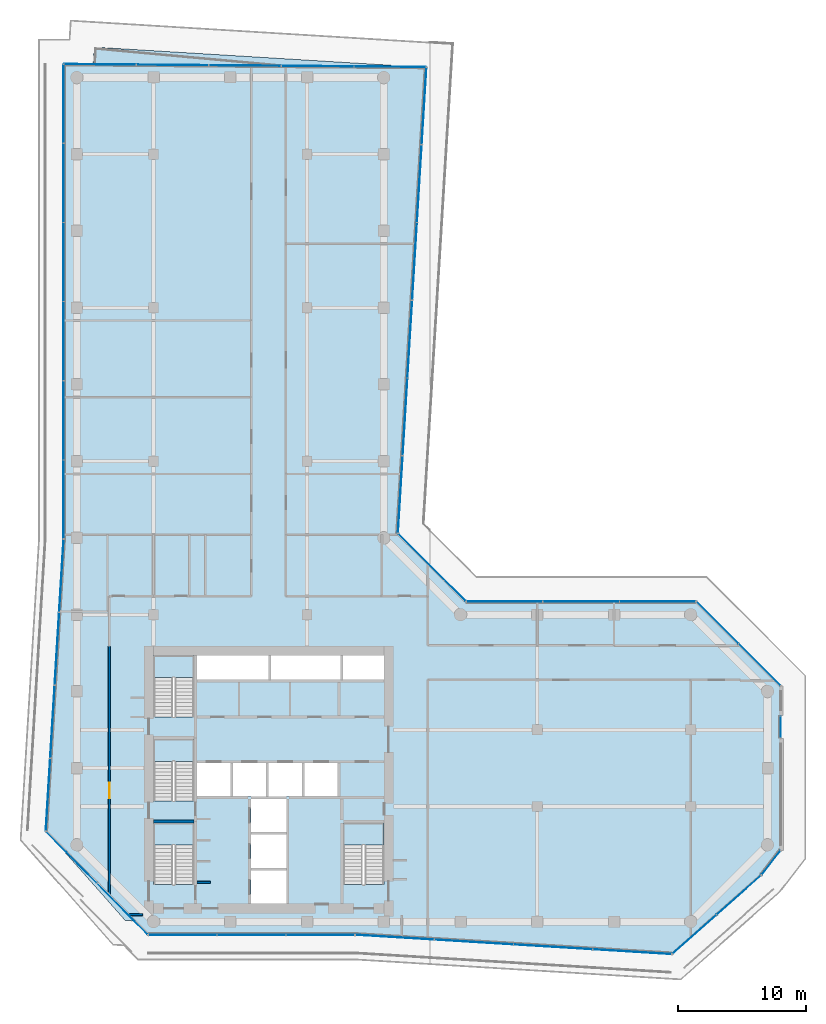
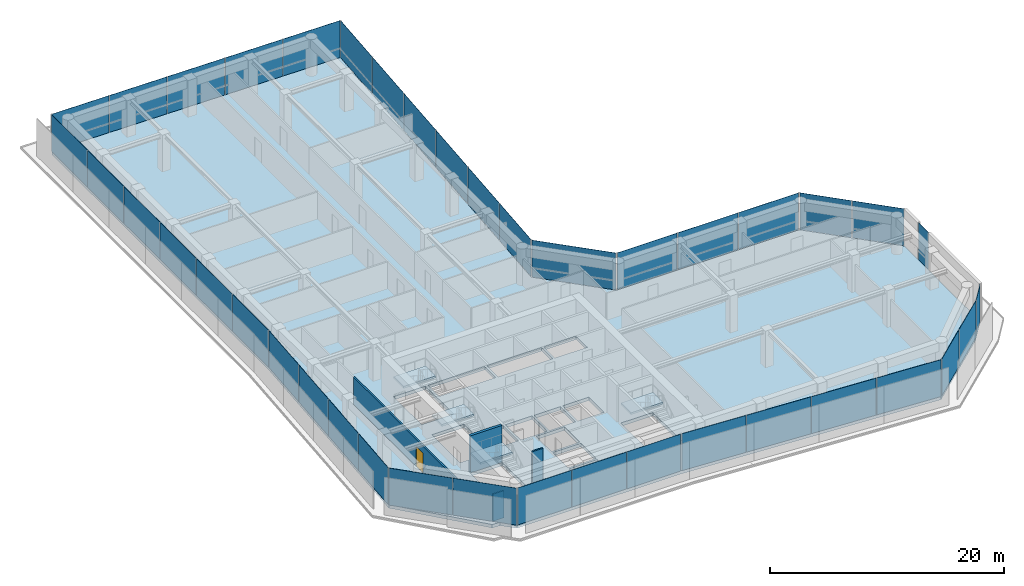
# One storey, part 19 of 24: 40 plates, 5 slabs, 4 walls, 1 door, 1 opening, 17 elements without a shape of their own.
"""IFC4 building model written with IfcOpenShell, lengths in metres."""

from ifc_helpers import new_model, si_unit, direction, frame, frame_2d, origin, origin_2d, place, context, subcontext, project, spatial, polyline, rectangle, outline, extrude, material, layer, layer_set, type_object, element, fill, aggregate, save


model = new_model("IFC4")

# Units and contexts
model_context = context("Model", 3, precision=1e-05, world=origin(), true_north=direction((0.0, 1.0)))
body_context = subcontext(model_context, "Body", "Model", "MODEL_VIEW")
ifc_project = project(units=[si_unit("LENGTHUNIT", "METRE"), si_unit("AREAUNIT", "SQUARE_METRE"), si_unit("VOLUMEUNIT", "CUBIC_METRE"), si_unit("PLANEANGLEUNIT", "RADIAN"), si_unit("MASSUNIT", "GRAM", prefix="KILO")], contexts=[model_context])

# Site, building, storey
site_placement = place(None, origin())
site = spatial("IfcSite", under=ifc_project, at=site_placement, CompositionType="ELEMENT")
building_placement = place(site_placement, origin())
building = spatial("IfcBuilding", under=site, at=building_placement, Name="Welwitschia Terrace Campus", CompositionType="ELEMENT")
storey_placement = place(building_placement, frame((0.0, 0.0, 125.60009765625)))
storey = spatial("IfcBuildingStorey", under=building, at=storey_placement, Name="L28", CompositionType="ELEMENT", Elevation=125.60009765625)

# Curtain wall, plates
ifc_material_1 = material(Name="Bronze anodised aluminium", Category="aluminium")
ifc_layer_1 = layer(ifc_material_1, 0.1201171875)
ifc_layer_set_1 = layer_set([ifc_layer_1], Name="Bronze anodised aluminium")
curtain_wall_type = type_object("IfcCurtainWallType", Name="Curtain wall CW2 tower 6000", PredefinedType="NOTDEFINED", material=ifc_layer_set_1)
curtain_wall_1_placement = place(storey_placement, origin())
curtain_wall_1 = element("IfcCurtainWall", 1, at=curtain_wall_1_placement, inside=storey, type_object=curtain_wall_type, Name="CW L28.0.0", PredefinedType="NOTDEFINED")
ifc_material_2 = material(Name="Tinted bronze-grey glass", Category="glass")
ifc_layer_2 = layer(ifc_material_2, 0.028076171875)
ifc_layer_set_2 = layer_set([ifc_layer_2], Name="Tinted bronze-grey glass")
plate_type = type_object("IfcPlateType", Name="Glass panel 28 tinted", PredefinedType="CURTAIN_PANEL", material=ifc_layer_set_2)
plate_1_placement = place(storey_placement, frame((-1.20556640625, 31.03466796875, -0.000244140625), z_axis=(0.0, 0.0, 1.0), x_axis=(-0.061048539535, -0.998134798422, 0.0)))
plate_1 = element("IfcPlate", 2, at=plate_1_placement, type_object=plate_type, Name="Panel L28.0.0.0", PredefinedType="CURTAIN_PANEL", context=body_context, shape_type="SweptSolid", body=[
    extrude(rectangle(XDim=5.630615234375, YDim=0.028076171875, at=origin_2d()), origin(), (0.0, 0.0, 1.0), 3.85009765625),
])
plate_2_placement = place(storey_placement, frame((-1.553955078125, 25.339599609375, -0.000244140625), z_axis=(0.0, 0.0, 1.0), x_axis=(-0.061048539535, -0.998134798422, 0.0)))
plate_2 = element("IfcPlate", 3, at=plate_2_placement, type_object=plate_type, Name="Panel L28.0.0.1", PredefinedType="CURTAIN_PANEL", context=body_context, shape_type="SweptSolid", body=[
    extrude(rectangle(XDim=5.66064453125, YDim=0.028076171875, at=origin_2d()), origin(), (0.0, 0.0, 1.0), 3.85009765625),
])
plate_3_placement = place(storey_placement, frame((-1.903076171875, 19.629638671875, -0.000244140625), z_axis=(0.0, 0.0, 1.0), x_axis=(-0.061048539535, -0.998134798422, 0.0)))
plate_3 = element("IfcPlate", 4, at=plate_3_placement, type_object=plate_type, Name="Panel L28.0.0.2", PredefinedType="CURTAIN_PANEL", context=body_context, shape_type="SweptSolid", body=[
    extrude(rectangle(XDim=5.66064453125, YDim=0.028076171875, at=origin_2d()), origin(), (0.0, 0.0, 1.0), 3.85009765625),
])
plate_4_placement = place(storey_placement, frame((-2.25146484375, 13.934814453125, -0.000244140625), z_axis=(0.0, 0.0, 1.0), x_axis=(-0.061048539535, -0.998134798422, 0.0)))
plate_4 = element("IfcPlate", 5, at=plate_4_placement, type_object=plate_type, Name="Panel L28.0.0.3", PredefinedType="CURTAIN_PANEL", context=body_context, shape_type="SweptSolid", body=[
    extrude(rectangle(XDim=5.630615234375, YDim=0.028076171875, at=origin_2d()), origin(), (0.0, 0.0, 1.0), 3.85009765625),
])
aggregate(curtain_wall_1, [plate_1, plate_2, plate_3, plate_4])

curtain_wall_2_placement = place(storey_placement, origin())
curtain_wall_2 = element("IfcCurtainWall", 6, at=curtain_wall_2_placement, inside=storey, type_object=curtain_wall_type, Name="CW L28.1.0", PredefinedType="NOTDEFINED")
plate_5_placement = place(storey_placement, frame((-0.416259765625, 9.030517578125, -0.000244140625), z_axis=(0.0, 0.0, 1.0), x_axis=(0.702943695312, -0.711245499966, 0.0)))
plate_5 = element("IfcPlate", 7, at=plate_5_placement, type_object=plate_type, Name="Panel L28.1.0.0", PredefinedType="CURTAIN_PANEL", context=body_context, shape_type="SweptSolid", body=[
    extrude(rectangle(XDim=5.6005859375, YDim=0.028076171875, at=origin_2d()), origin(), (0.0, 0.0, 1.0), 3.85009765625),
])
plate_6_placement = place(storey_placement, frame((3.562744140625, 5.00439453125, -0.000244140625), z_axis=(0.0, 0.0, 1.0), x_axis=(0.702943695312, -0.711245499966, 0.0)))
plate_6 = element("IfcPlate", 8, at=plate_6_placement, type_object=plate_type, Name="Panel L28.1.0.1", PredefinedType="CURTAIN_PANEL", context=body_context, shape_type="SweptSolid", body=[
    extrude(rectangle(XDim=5.6005859375, YDim=0.028076171875, at=origin_2d()), origin(), (0.0, 0.0, 1.0), 3.85009765625),
])
aggregate(curtain_wall_2, [plate_5, plate_6])

curtain_wall_3_placement = place(storey_placement, origin())
curtain_wall_3 = element("IfcCurtainWall", 9, at=curtain_wall_3_placement, inside=storey, type_object=curtain_wall_type, Name="CW L28.2.0", PredefinedType="NOTDEFINED")
plate_7_placement = place(storey_placement, frame((8.285400390625, 2.969970703125, -0.000244140625), z_axis=(0.0, 0.0, 1.0), x_axis=(1.0, 0.0, 0.0)))
plate_7 = element("IfcPlate", 10, at=plate_7_placement, type_object=plate_type, Name="Panel L28.2.0.0", PredefinedType="CURTAIN_PANEL", context=body_context, shape_type="SweptSolid", body=[
    extrude(rectangle(XDim=5.30419921875, YDim=0.028076171875, at=origin_2d()), origin(), (0.0, 0.0, 1.0), 3.85009765625),
])
plate_8_placement = place(storey_placement, frame((13.66455078125, 2.969970703125, -0.000244140625), z_axis=(0.0, 0.0, 1.0), x_axis=(1.0, 0.0, 0.0)))
plate_8 = element("IfcPlate", 11, at=plate_8_placement, type_object=plate_type, Name="Panel L28.2.0.1", PredefinedType="CURTAIN_PANEL", context=body_context, shape_type="SweptSolid", body=[
    extrude(rectangle(XDim=5.334228515625, YDim=0.028076171875, at=origin_2d()), origin(), (0.0, 0.0, 1.0), 3.85009765625),
])
plate_9_placement = place(storey_placement, frame((19.043701171875, 2.969970703125, -0.000244140625), z_axis=(0.0, 0.0, 1.0), x_axis=(1.0, 0.0, 0.0)))
plate_9 = element("IfcPlate", 12, at=plate_9_placement, type_object=plate_type, Name="Panel L28.2.0.2", PredefinedType="CURTAIN_PANEL", context=body_context, shape_type="SweptSolid", body=[
    extrude(rectangle(XDim=5.30419921875, YDim=0.028076171875, at=origin_2d()), origin(), (0.0, 0.0, 1.0), 3.85009765625),
])
aggregate(curtain_wall_3, [plate_7, plate_8, plate_9])

curtain_wall_4_placement = place(storey_placement, origin())
curtain_wall_4 = element("IfcCurtainWall", 13, at=curtain_wall_4_placement, inside=storey, type_object=curtain_wall_type, Name="CW L28.3.0", PredefinedType="NOTDEFINED")
plate_10_placement = place(storey_placement, frame((24.8681640625, 2.779541015625, -0.000244140625), z_axis=(0.0, 0.0, 1.0), x_axis=(0.998134798422, -0.061048539535, 0.0)))
plate_10 = element("IfcPlate", 14, at=plate_10_placement, type_object=plate_type, Name="Panel L28.3.0.0", PredefinedType="CURTAIN_PANEL", context=body_context, shape_type="SweptSolid", body=[
    extrude(rectangle(XDim=6.1162109375, YDim=0.028076171875, at=origin_2d()), origin(), (0.0, 0.0, 1.0), 3.85009765625),
])
plate_11_placement = place(storey_placement, frame((31.0478515625, 2.401611328125, -0.000244140625), z_axis=(0.0, 0.0, 1.0), x_axis=(0.998134798422, -0.061048539535, 0.0)))
plate_11 = element("IfcPlate", 15, at=plate_11_placement, type_object=plate_type, Name="Panel L28.3.0.1", PredefinedType="CURTAIN_PANEL", context=body_context, shape_type="SweptSolid", body=[
    extrude(rectangle(XDim=6.146240234375, YDim=0.028076171875, at=origin_2d()), origin(), (0.0, 0.0, 1.0), 3.85009765625),
])
plate_12_placement = place(storey_placement, frame((37.242431640625, 2.022705078125, -0.000244140625), z_axis=(0.0, 0.0, 1.0), x_axis=(0.998134798422, -0.061048539535, 0.0)))
plate_12 = element("IfcPlate", 16, at=plate_12_placement, type_object=plate_type, Name="Panel L28.3.0.2", PredefinedType="CURTAIN_PANEL", context=body_context, shape_type="SweptSolid", body=[
    extrude(rectangle(XDim=6.146240234375, YDim=0.028076171875, at=origin_2d()), origin(), (0.0, 0.0, 1.0), 3.85009765625),
])
plate_13_placement = place(storey_placement, frame((43.422119140625, 1.644775390625, -0.000244140625), z_axis=(0.0, 0.0, 1.0), x_axis=(0.998134798422, -0.061048539535, 0.0)))
plate_13 = element("IfcPlate", 17, at=plate_13_placement, type_object=plate_type, Name="Panel L28.3.0.3", PredefinedType="CURTAIN_PANEL", context=body_context, shape_type="SweptSolid", body=[
    extrude(rectangle(XDim=6.1162109375, YDim=0.028076171875, at=origin_2d()), origin(), (0.0, 0.0, 1.0), 3.85009765625),
])
aggregate(curtain_wall_4, [plate_10, plate_11, plate_12, plate_13])

curtain_wall_5_placement = place(storey_placement, origin())
curtain_wall_5 = element("IfcCurtainWall", 18, at=curtain_wall_5_placement, inside=storey, type_object=curtain_wall_type, Name="CW L28.4.0", PredefinedType="NOTDEFINED")
plate_14_placement = place(storey_placement, frame((48.292236328125, 3.009765625, -0.000244140625), z_axis=(0.0, 0.0, 1.0), x_axis=(0.748955720789, 0.662620048216, 0.0)))
plate_14 = element("IfcPlate", 19, at=plate_14_placement, type_object=plate_type, Name="Panel L28.4.0.0", PredefinedType="CURTAIN_PANEL", context=body_context, shape_type="SweptSolid", body=[
    extrude(rectangle(XDim=4.574462890625, YDim=0.028076171875, at=origin_2d()), origin(), (0.0, 0.0, 1.0), 3.85009765625),
])
plate_15_placement = place(storey_placement, frame((51.76318359375, 6.080810546875, -0.000244140625), z_axis=(0.0, 0.0, 1.0), x_axis=(0.748955720789, 0.662620048216, 0.0)))
plate_15 = element("IfcPlate", 20, at=plate_15_placement, type_object=plate_type, Name="Panel L28.4.0.1", PredefinedType="CURTAIN_PANEL", context=body_context, shape_type="SweptSolid", body=[
    extrude(rectangle(XDim=4.574462890625, YDim=0.028076171875, at=origin_2d()), origin(), (0.0, 0.0, 1.0), 3.85009765625),
])
aggregate(curtain_wall_5, [plate_14, plate_15])

# Curtain wall, plate
curtain_wall_6_placement = place(storey_placement, origin())
curtain_wall_6 = element("IfcCurtainWall", 21, at=curtain_wall_6_placement, inside=storey, type_object=curtain_wall_type, Name="CW L28.5.0", PredefinedType="NOTDEFINED")
plate_16_placement = place(storey_placement, frame((54.275634765625, 8.605712890625, -0.000244140625), z_axis=(0.0, 0.0, 1.0), x_axis=(0.614002231211, 0.789304288642, 0.0)))
plate_16 = element("IfcPlate", 22, at=plate_16_placement, type_object=plate_type, Name="Panel L28.5.0.0", PredefinedType="CURTAIN_PANEL", context=body_context, shape_type="SweptSolid", body=[
    extrude(rectangle(XDim=2.337158203125, YDim=0.028076171875, at=origin_2d()), origin(), (0.0, 0.0, 1.0), 3.85009765625),
])
aggregate(curtain_wall_6, [plate_16])

curtain_wall_7_placement = place(storey_placement, origin())
curtain_wall_7 = element("IfcCurtainWall", 23, at=curtain_wall_7_placement, inside=storey, type_object=curtain_wall_type, Name="CW L28.6.S0", PredefinedType="NOTDEFINED")
plate_17_placement = place(storey_placement, frame((55.030029296875, 19.2138671875, -0.000244140625), z_axis=(0.0, 0.0, 1.0), x_axis=(0.0, 1.0, 0.0)))
plate_17 = element("IfcPlate", 24, at=plate_17_placement, type_object=plate_type, Name="Panel L28.6.S0.0", PredefinedType="CURTAIN_PANEL", context=body_context, shape_type="SweptSolid", body=[
    extrude(rectangle(XDim=1.679931640625, YDim=0.028076171875, at=origin_2d()), origin(), (0.0, 0.0, 1.0), 3.85009765625),
])
aggregate(curtain_wall_7, [plate_17])

# Curtain wall, plates
curtain_wall_8_placement = place(storey_placement, origin())
curtain_wall_8 = element("IfcCurtainWall", 25, at=curtain_wall_8_placement, inside=storey, type_object=curtain_wall_type, Name="CW L28.7.0", PredefinedType="NOTDEFINED")
plate_18_placement = place(storey_placement, frame((53.36865234375, 24.088134765625, -0.000244140625), z_axis=(0.0, 0.0, 1.0), x_axis=(-0.707106781187, 0.707106781187, 0.0)))
plate_18 = element("IfcPlate", 26, at=plate_18_placement, type_object=plate_type, Name="Panel L28.7.0.0", PredefinedType="CURTAIN_PANEL", context=body_context, shape_type="SweptSolid", body=[
    extrude(rectangle(XDim=4.579345703125, YDim=0.028076171875, at=origin_2d()), origin(), (0.0, 0.0, 1.0), 3.85009765625),
])
plate_19_placement = place(storey_placement, frame((50.088134765625, 27.36865234375, -0.000244140625), z_axis=(0.0, 0.0, 1.0), x_axis=(-0.707106781187, 0.707106781187, 0.0)))
plate_19 = element("IfcPlate", 27, at=plate_19_placement, type_object=plate_type, Name="Panel L28.7.0.1", PredefinedType="CURTAIN_PANEL", context=body_context, shape_type="SweptSolid", body=[
    extrude(rectangle(XDim=4.579345703125, YDim=0.028076171875, at=origin_2d()), origin(), (0.0, 0.0, 1.0), 3.85009765625),
])
aggregate(curtain_wall_8, [plate_18, plate_19])

curtain_wall_9_placement = place(storey_placement, origin())
curtain_wall_9 = element("IfcCurtainWall", 28, at=curtain_wall_9_placement, inside=storey, type_object=curtain_wall_type, Name="CW L28.8.0", PredefinedType="NOTDEFINED")
plate_20_placement = place(storey_placement, frame((45.41162109375, 29.030029296875, -0.000244140625), z_axis=(0.0, 0.0, 1.0), x_axis=(-1.0, 0.0, 0.0)))
plate_20 = element("IfcPlate", 29, at=plate_20_placement, type_object=plate_type, Name="Panel L28.8.0.0", PredefinedType="CURTAIN_PANEL", context=body_context, shape_type="SweptSolid", body=[
    extrude(rectangle(XDim=5.909912109375, YDim=0.028076171875, at=origin_2d()), origin(), (0.0, 0.0, 1.0), 3.85009765625),
])
plate_21_placement = place(storey_placement, frame((39.4267578125, 29.030029296875, -0.000244140625), z_axis=(0.0, 0.0, 1.0), x_axis=(-1.0, 0.0, 0.0)))
plate_21 = element("IfcPlate", 30, at=plate_21_placement, type_object=plate_type, Name="Panel L28.8.0.1", PredefinedType="CURTAIN_PANEL", context=body_context, shape_type="SweptSolid", body=[
    extrude(rectangle(XDim=5.93994140625, YDim=0.028076171875, at=origin_2d()), origin(), (0.0, 0.0, 1.0), 3.85009765625),
])
plate_22_placement = place(storey_placement, frame((33.441650390625, 29.030029296875, -0.000244140625), z_axis=(0.0, 0.0, 1.0), x_axis=(-1.0, 0.0, 0.0)))
plate_22 = element("IfcPlate", 31, at=plate_22_placement, type_object=plate_type, Name="Panel L28.8.0.2", PredefinedType="CURTAIN_PANEL", context=body_context, shape_type="SweptSolid", body=[
    extrude(rectangle(XDim=5.909912109375, YDim=0.028076171875, at=origin_2d()), origin(), (0.0, 0.0, 1.0), 3.85009765625),
])
aggregate(curtain_wall_9, [plate_20, plate_21, plate_22])

# Curtain wall, plate
curtain_wall_10_placement = place(storey_placement, origin())
curtain_wall_10 = element("IfcCurtainWall", 32, at=curtain_wall_10_placement, inside=storey, type_object=curtain_wall_type, Name="CW L28.9.0", PredefinedType="NOTDEFINED")
plate_23_placement = place(storey_placement, frame((27.766357421875, 31.6904296875, -0.000244140625), z_axis=(0.0, 0.0, 1.0), x_axis=(-0.707106781187, 0.707106781187, 0.0)))
plate_23 = element("IfcPlate", 33, at=plate_23_placement, type_object=plate_type, Name="Panel L28.9.0.0", PredefinedType="CURTAIN_PANEL", context=body_context, shape_type="SweptSolid", body=[
    extrude(rectangle(XDim=7.404541015625, YDim=0.028076171875, at=origin_2d()), origin(), (0.0, 0.0, 1.0), 3.85009765625),
])
aggregate(curtain_wall_10, [plate_23])

# Curtain wall, plates
curtain_wall_11_placement = place(storey_placement, origin())
curtain_wall_11 = element("IfcCurtainWall", 34, at=curtain_wall_11_placement, inside=storey, type_object=curtain_wall_type, Name="CW L28.10.0", PredefinedType="NOTDEFINED")
plate_24_placement = place(storey_placement, frame((25.292724609375, 37.404296875, -0.000244140625), z_axis=(0.0, 0.0, 1.0), x_axis=(0.061048539535, 0.998134798422, 0.0)))
plate_24 = element("IfcPlate", 35, at=plate_24_placement, type_object=plate_type, Name="Panel L28.10.0.0", PredefinedType="CURTAIN_PANEL", context=body_context, shape_type="SweptSolid", body=[
    extrude(rectangle(XDim=5.998779296875, YDim=0.028076171875, at=origin_2d()), origin(), (0.0, 0.0, 1.0), 3.85009765625),
])
plate_25_placement = place(storey_placement, frame((25.66357421875, 43.467041015625, -0.000244140625), z_axis=(0.0, 0.0, 1.0), x_axis=(0.061048539535, 0.998134798422, 0.0)))
plate_25 = element("IfcPlate", 36, at=plate_25_placement, type_object=plate_type, Name="Panel L28.10.0.1", PredefinedType="CURTAIN_PANEL", context=body_context, shape_type="SweptSolid", body=[
    extrude(rectangle(XDim=6.02880859375, YDim=0.028076171875, at=origin_2d()), origin(), (0.0, 0.0, 1.0), 3.85009765625),
])
plate_26_placement = place(storey_placement, frame((26.03515625, 49.54443359375, -0.000244140625), z_axis=(0.0, 0.0, 1.0), x_axis=(0.061048539535, 0.998134798422, 0.0)))
plate_26 = element("IfcPlate", 37, at=plate_26_placement, type_object=plate_type, Name="Panel L28.10.0.2", PredefinedType="CURTAIN_PANEL", context=body_context, shape_type="SweptSolid", body=[
    extrude(rectangle(XDim=6.02880859375, YDim=0.028076171875, at=origin_2d()), origin(), (0.0, 0.0, 1.0), 3.85009765625),
])
plate_27_placement = place(storey_placement, frame((26.406982421875, 55.6220703125, -0.000244140625), z_axis=(0.0, 0.0, 1.0), x_axis=(0.061048539535, 0.998134798422, 0.0)))
plate_27 = element("IfcPlate", 38, at=plate_27_placement, type_object=plate_type, Name="Panel L28.10.0.3", PredefinedType="CURTAIN_PANEL", context=body_context, shape_type="SweptSolid", body=[
    extrude(rectangle(XDim=6.02880859375, YDim=0.028076171875, at=origin_2d()), origin(), (0.0, 0.0, 1.0), 3.85009765625),
])
plate_28_placement = place(storey_placement, frame((26.77880859375, 61.699462890625, -0.000244140625), z_axis=(0.0, 0.0, 1.0), x_axis=(0.061048539535, 0.998134798422, 0.0)))
plate_28 = element("IfcPlate", 39, at=plate_28_placement, type_object=plate_type, Name="Panel L28.10.0.4", PredefinedType="CURTAIN_PANEL", context=body_context, shape_type="SweptSolid", body=[
    extrude(rectangle(XDim=6.02880859375, YDim=0.028076171875, at=origin_2d()), origin(), (0.0, 0.0, 1.0), 3.85009765625),
])
plate_29_placement = place(storey_placement, frame((27.1494140625, 67.76220703125, -0.000244140625), z_axis=(0.0, 0.0, 1.0), x_axis=(0.061048539535, 0.998134798422, 0.0)))
plate_29 = element("IfcPlate", 40, at=plate_29_placement, type_object=plate_type, Name="Panel L28.10.0.5", PredefinedType="CURTAIN_PANEL", context=body_context, shape_type="SweptSolid", body=[
    extrude(rectangle(XDim=5.998779296875, YDim=0.028076171875, at=origin_2d()), origin(), (0.0, 0.0, 1.0), 3.85009765625),
])
aggregate(curtain_wall_11, [plate_24, plate_25, plate_26, plate_27, plate_28, plate_29])

curtain_wall_12_placement = place(storey_placement, origin())
curtain_wall_12 = element("IfcCurtainWall", 41, at=curtain_wall_12_placement, inside=storey, type_object=curtain_wall_type, Name="CW L28.11.0", PredefinedType="NOTDEFINED")
plate_30_placement = place(storey_placement, frame((24.484619140625, 70.83935546875, -0.000244140625), z_axis=(0.0, 0.0, 1.0), x_axis=(-0.999966336185, 0.008205272491, 0.0)))
plate_30 = element("IfcPlate", 42, at=plate_30_placement, type_object=plate_type, Name="Panel L28.11.0.0", PredefinedType="CURTAIN_PANEL", context=body_context, shape_type="SweptSolid", body=[
    extrude(rectangle(XDim=5.58349609375, YDim=0.028076171875, at=origin_2d()), origin(), (0.0, 0.0, 1.0), 3.85009765625),
])
plate_31_placement = place(storey_placement, frame((18.826416015625, 70.8857421875, -0.000244140625), z_axis=(0.0, 0.0, 1.0), x_axis=(-0.999966336185, 0.008205272491, 0.0)))
plate_31 = element("IfcPlate", 43, at=plate_31_placement, type_object=plate_type, Name="Panel L28.11.0.1", PredefinedType="CURTAIN_PANEL", context=body_context, shape_type="SweptSolid", body=[
    extrude(rectangle(XDim=5.613525390625, YDim=0.028076171875, at=origin_2d()), origin(), (0.0, 0.0, 1.0), 3.85009765625),
])
plate_32_placement = place(storey_placement, frame((13.153076171875, 70.932373046875, -0.000244140625), z_axis=(0.0, 0.0, 1.0), x_axis=(-0.999966336185, 0.008205272491, 0.0)))
plate_32 = element("IfcPlate", 44, at=plate_32_placement, type_object=plate_type, Name="Panel L28.11.0.2", PredefinedType="CURTAIN_PANEL", context=body_context, shape_type="SweptSolid", body=[
    extrude(rectangle(XDim=5.613525390625, YDim=0.028076171875, at=origin_2d()), origin(), (0.0, 0.0, 1.0), 3.85009765625),
])
plate_33_placement = place(storey_placement, frame((7.47998046875, 70.978759765625, -0.000244140625), z_axis=(0.0, 0.0, 1.0), x_axis=(-0.999966336185, 0.008205272491, 0.0)))
plate_33 = element("IfcPlate", 45, at=plate_33_placement, type_object=plate_type, Name="Panel L28.11.0.3", PredefinedType="CURTAIN_PANEL", context=body_context, shape_type="SweptSolid", body=[
    extrude(rectangle(XDim=5.613525390625, YDim=0.028076171875, at=origin_2d()), origin(), (0.0, 0.0, 1.0), 3.85009765625),
])
plate_34_placement = place(storey_placement, frame((1.821533203125, 71.025146484375, -0.000244140625), z_axis=(0.0, 0.0, 1.0), x_axis=(-0.999966336185, 0.008205272491, 0.0)))
plate_34 = element("IfcPlate", 46, at=plate_34_placement, type_object=plate_type, Name="Panel L28.11.0.4", PredefinedType="CURTAIN_PANEL", context=body_context, shape_type="SweptSolid", body=[
    extrude(rectangle(XDim=5.58349609375, YDim=0.028076171875, at=origin_2d()), origin(), (0.0, 0.0, 1.0), 3.85009765625),
])
aggregate(curtain_wall_12, [plate_30, plate_31, plate_32, plate_33, plate_34])

curtain_wall_13_placement = place(storey_placement, origin())
curtain_wall_13 = element("IfcCurtainWall", 47, at=curtain_wall_13_placement, inside=storey, type_object=curtain_wall_type, Name="CW L28.12.0", PredefinedType="NOTDEFINED")
plate_35_placement = place(storey_placement, frame((-1.030029296875, 67.938232421875, -0.000244140625), z_axis=(0.0, 0.0, 1.0), x_axis=(0.0, -1.0, 0.0)))
plate_35 = element("IfcPlate", 48, at=plate_35_placement, type_object=plate_type, Name="Panel L28.12.0.0", PredefinedType="CURTAIN_PANEL", context=body_context, shape_type="SweptSolid", body=[
    extrude(rectangle(XDim=6.1005859375, YDim=0.028076171875, at=origin_2d()), origin(), (0.0, 0.0, 1.0), 3.85009765625),
])
plate_36_placement = place(storey_placement, frame((-1.030029296875, 61.7626953125, -0.000244140625), z_axis=(0.0, 0.0, 1.0), x_axis=(0.0, -1.0, 0.0)))
plate_36 = element("IfcPlate", 49, at=plate_36_placement, type_object=plate_type, Name="Panel L28.12.0.1", PredefinedType="CURTAIN_PANEL", context=body_context, shape_type="SweptSolid", body=[
    extrude(rectangle(XDim=6.130615234375, YDim=0.028076171875, at=origin_2d()), origin(), (0.0, 0.0, 1.0), 3.85009765625),
])
plate_37_placement = place(storey_placement, frame((-1.030029296875, 55.572021484375, -0.000244140625), z_axis=(0.0, 0.0, 1.0), x_axis=(0.0, -1.0, 0.0)))
plate_37 = element("IfcPlate", 50, at=plate_37_placement, type_object=plate_type, Name="Panel L28.12.0.2", PredefinedType="CURTAIN_PANEL", context=body_context, shape_type="SweptSolid", body=[
    extrude(rectangle(XDim=6.130615234375, YDim=0.028076171875, at=origin_2d()), origin(), (0.0, 0.0, 1.0), 3.85009765625),
])
plate_38_placement = place(storey_placement, frame((-1.030029296875, 49.38134765625, -0.000244140625), z_axis=(0.0, 0.0, 1.0), x_axis=(0.0, -1.0, 0.0)))
plate_38 = element("IfcPlate", 51, at=plate_38_placement, type_object=plate_type, Name="Panel L28.12.0.3", PredefinedType="CURTAIN_PANEL", context=body_context, shape_type="SweptSolid", body=[
    extrude(rectangle(XDim=6.130615234375, YDim=0.028076171875, at=origin_2d()), origin(), (0.0, 0.0, 1.0), 3.85009765625),
])
plate_39_placement = place(storey_placement, frame((-1.030029296875, 43.190673828125, -0.000244140625), z_axis=(0.0, 0.0, 1.0), x_axis=(0.0, -1.0, 0.0)))
plate_39 = element("IfcPlate", 52, at=plate_39_placement, type_object=plate_type, Name="Panel L28.12.0.4", PredefinedType="CURTAIN_PANEL", context=body_context, shape_type="SweptSolid", body=[
    extrude(rectangle(XDim=6.130615234375, YDim=0.028076171875, at=origin_2d()), origin(), (0.0, 0.0, 1.0), 3.85009765625),
])
plate_40_placement = place(storey_placement, frame((-1.030029296875, 37.014892578125, -0.000244140625), z_axis=(0.0, 0.0, 1.0), x_axis=(0.0, -1.0, 0.0)))
plate_40 = element("IfcPlate", 53, at=plate_40_placement, type_object=plate_type, Name="Panel L28.12.0.5", PredefinedType="CURTAIN_PANEL", context=body_context, shape_type="SweptSolid", body=[
    extrude(rectangle(XDim=6.1005859375, YDim=0.028076171875, at=origin_2d()), origin(), (0.0, 0.0, 1.0), 3.85009765625),
])
aggregate(curtain_wall_13, [plate_35, plate_36, plate_37, plate_38, plate_39, plate_40])

# Stair, slab
ifc_material_3 = material(Name="Concrete C40/50", Category="concrete")
stair_type = type_object("IfcStairType", Name="Stair 24R 175 W1500", PredefinedType="HALF_TURN_STAIR", material=ifc_material_3)
stair_1_placement = place(storey_placement, origin())
stair_1 = element("IfcStair", 54, at=stair_1_placement, inside=storey, type_object=stair_type, Name="L28 Exit stair S1", PredefinedType="HALF_TURN_STAIR")
ifc_material_4 = material(Name="Concrete C40/50", Category="concrete")
ifc_layer_3 = layer(ifc_material_4, 0.199951171875)
ifc_layer_set_3 = layer_set([ifc_layer_3], Name="Concrete C40/50")
slab_type_1 = type_object("IfcSlabType", Name="Stair landing RC", PredefinedType="LANDING", material=ifc_layer_set_3)
slab_1_placement = place(storey_placement, frame((0.0, 0.0, 1.89990234375)))
slab_1 = element("IfcSlab", 55, at=slab_1_placement, type_object=slab_type_1, Name="S1 landing 1", PredefinedType="LANDING", context=body_context, shape_type="SweptSolid", body=[
    extrude(outline(polyline([(9.14990234375, 9.97998046875), (9.14990234375, 11.699951171875), (6.0, 11.699951171875), (6.0, 9.97998046875), (9.14990234375, 9.97998046875)])), origin(), (0.0, 0.0, 1.0), 0.199951171875),
])
aggregate(stair_1, [slab_1])

stair_2_placement = place(storey_placement, origin())
stair_2 = element("IfcStair", 56, at=stair_2_placement, inside=storey, type_object=stair_type, Name="L28 Exit stair S3", PredefinedType="HALF_TURN_STAIR")
slab_2_placement = place(storey_placement, frame((0.0, 0.0, 1.89990234375)))
slab_2 = element("IfcSlab", 57, at=slab_2_placement, type_object=slab_type_1, Name="S3 landing 1", PredefinedType="LANDING", context=body_context, shape_type="SweptSolid", body=[
    extrude(outline(polyline([(9.14990234375, 16.530029296875), (9.14990234375, 18.25), (6.0, 18.25), (6.0, 16.530029296875), (9.14990234375, 16.530029296875)])), origin(), (0.0, 0.0, 1.0), 0.199951171875),
])
aggregate(stair_2, [slab_2])

stair_3_placement = place(storey_placement, origin())
stair_3 = element("IfcStair", 58, at=stair_3_placement, inside=storey, type_object=stair_type, Name="L28 Exit stair S4", PredefinedType="HALF_TURN_STAIR")
slab_3_placement = place(storey_placement, frame((0.0, 0.0, 1.89990234375)))
slab_3 = element("IfcSlab", 59, at=slab_3_placement, type_object=slab_type_1, Name="S4 landing 1", PredefinedType="LANDING", context=body_context, shape_type="SweptSolid", body=[
    extrude(outline(polyline([(9.14990234375, 23.080078125), (9.14990234375, 24.800048828125), (6.0, 24.800048828125), (6.0, 23.080078125), (9.14990234375, 23.080078125)])), origin(), (0.0, 0.0, 1.0), 0.199951171875),
])
aggregate(stair_3, [slab_3])

stair_4_placement = place(storey_placement, origin())
stair_4 = element("IfcStair", 60, at=stair_4_placement, inside=storey, type_object=stair_type, Name="L28 Exit stair S2", PredefinedType="HALF_TURN_STAIR")
slab_4_placement = place(storey_placement, frame((0.0, 0.0, 1.89990234375)))
slab_4 = element("IfcSlab", 61, at=slab_4_placement, type_object=slab_type_1, Name="S2 landing 1", PredefinedType="LANDING", context=body_context, shape_type="SweptSolid", body=[
    extrude(outline(polyline([(24.0, 9.97998046875), (24.0, 11.699951171875), (20.85009765625, 11.699951171875), (20.85009765625, 9.97998046875), (24.0, 9.97998046875)])), origin(), (0.0, 0.0, 1.0), 0.199951171875),
])
aggregate(stair_4, [slab_4])

# Slab
ifc_material_5 = material(Name="Concrete C40/50", Category="concrete")
ifc_layer_4 = layer(ifc_material_5, 0.35009765625)
ifc_layer_set_4 = layer_set([ifc_layer_4], Name="Concrete C40/50")
slab_type_2 = type_object("IfcSlabType", Name="Suspended floor slab 350", PredefinedType="FLOOR", material=ifc_layer_set_4)
slab_5_placement = place(storey_placement, frame((0.0, 0.0, -0.35009765625)))
element("IfcSlab", 62, at=slab_5_placement, inside=storey, type_object=slab_type_2, Name="Floor slab L28", PredefinedType="FLOOR", context=body_context, shape_type="SweptSolid", body=[
    extrude(outline(polyline([(-1.0, 71.0), (1.268798828125, 71.0), (1.35302734375, 72.375), (27.304443359375, 70.787841796875), (25.0751953125, 34.339111328125), (30.414306640625, 29.0), (48.414306640625, 29.0), (55.0, 22.414306640625), (55.0, 9.585693359375), (53.499267578125, 7.65673828125), (46.523681640625, 1.485107421875), (21.7568359375, 3.0), (5.585693359375, 3.0), (4.5322265625, 4.053466796875), (3.775146484375, 4.099853515625), (-2.396240234375, 11.075439453125), (-1.0, 33.903564453125), (-1.0, 71.0)]), holes=[polyline([(13.60009765625, 8.0), (13.60009765625, 5.39990234375), (16.39990234375, 5.39990234375), (16.39990234375, 8.0), (13.60009765625, 8.0)]), polyline([(9.14990234375, 11.699951171875), (6.0, 11.699951171875), (6.0, 6.902099609375), (9.14990234375, 6.902099609375), (9.14990234375, 11.699951171875)]), polyline([(12.0, 16.39990234375), (9.39990234375, 16.39990234375), (9.39990234375, 13.800048828125), (12.0, 13.800048828125), (12.0, 16.39990234375)]), polyline([(14.800048828125, 16.39990234375), (12.199951171875, 16.39990234375), (12.199951171875, 13.800048828125), (14.800048828125, 13.800048828125), (14.800048828125, 16.39990234375)]), polyline([(9.14990234375, 18.25), (6.0, 18.25), (6.0, 13.451904296875), (9.14990234375, 13.451904296875), (9.14990234375, 18.25)]), polyline([(9.14990234375, 24.800048828125), (6.0, 24.800048828125), (6.0, 20.001953125), (9.14990234375, 20.001953125), (9.14990234375, 24.800048828125)]), polyline([(15.0, 24.800048828125), (9.39990234375, 24.800048828125), (9.39990234375, 22.89990234375), (15.0, 22.89990234375), (15.0, 24.800048828125)]), polyline([(20.85009765625, 11.699951171875), (20.85009765625, 6.902099609375), (24.0, 6.902099609375), (24.0, 11.699951171875), (20.85009765625, 11.699951171875)]), polyline([(16.39990234375, 10.800048828125), (13.60009765625, 10.800048828125), (13.60009765625, 8.199951171875), (16.39990234375, 8.199951171875), (16.39990234375, 10.800048828125)]), polyline([(16.39990234375, 13.60009765625), (13.60009765625, 13.60009765625), (13.60009765625, 11.0), (16.39990234375, 11.0), (16.39990234375, 13.60009765625)]), polyline([(17.60009765625, 16.39990234375), (15.0, 16.39990234375), (15.0, 13.800048828125), (17.60009765625, 13.800048828125), (17.60009765625, 16.39990234375)]), polyline([(20.39990234375, 16.39990234375), (17.800048828125, 16.39990234375), (17.800048828125, 13.800048828125), (20.39990234375, 13.800048828125), (20.39990234375, 16.39990234375)]), polyline([(20.60009765625, 24.800048828125), (15.199951171875, 24.800048828125), (15.199951171875, 22.89990234375), (20.60009765625, 22.89990234375), (20.60009765625, 24.800048828125)]), polyline([(24.0, 24.800048828125), (20.800048828125, 24.800048828125), (20.800048828125, 22.89990234375), (24.0, 22.89990234375), (24.0, 24.800048828125)])]), origin(), (0.0, 0.0, 1.0), 0.35009765625),
])

# Walls
ifc_material_6 = material(Name="Concrete C50/60", Category="concrete")
ifc_layer_5 = layer(ifc_material_6, 0.14990234375)
ifc_layer_set_5 = layer_set([ifc_layer_5], Name="Concrete C50/60")
wall_type_1 = type_object("IfcWallType", Name="Core wall 150 Concrete C50/60", PredefinedType="SHEAR", material=ifc_layer_set_5)
wall_1_placement = place(storey_placement, frame((9.39990234375, 7.074951171875, 0.0), z_axis=(0.0, 0.0, 1.0), x_axis=(1.0, 0.0, 0.0)))
element("IfcWall", 63, at=wall_1_placement, inside=storey, type_object=wall_type_1, Name="Core wall", PredefinedType="SHEAR", context=body_context, shape_type="SweptSolid", body=[
    extrude(rectangle(XDim=1.050048828125, YDim=0.14990234375, at=frame_2d((0.52490234375, 0.0))), origin(), (0.0, 0.0, 1.0), 3.849853515625),
])
ifc_material_7 = material(Name="Concrete C50/60", Category="concrete")
ifc_layer_6 = layer(ifc_material_7, 0.25)
ifc_layer_set_6 = layer_set([ifc_layer_6], Name="Concrete C50/60")
wall_type_2 = type_object("IfcWallType", Name="Core wall 250 Concrete C50/60", PredefinedType="SHEAR", material=ifc_layer_set_6)
wall_2_placement = place(storey_placement, frame((6.0, 11.824951171875, 0.0), z_axis=(0.0, 0.0, 1.0), x_axis=(1.0, 0.0, 0.0)))
element("IfcWall", 64, at=wall_2_placement, inside=storey, type_object=wall_type_2, Name="Core wall", PredefinedType="SHEAR", context=body_context, shape_type="SweptSolid", body=[
    extrude(rectangle(XDim=3.14990234375, YDim=0.25, at=frame_2d((1.574951171875, 0.0))), origin(), (0.0, 0.0, 1.0), 3.849853515625),
])

# Wall, opening, door
ifc_material_8 = material(Name="Gypsum board on steel studs", Category="steel")
ifc_layer_7 = layer(ifc_material_8, 0.14990234375)
ifc_layer_set_7 = layer_set([ifc_layer_7], Name="Gypsum board on steel studs")
wall_type_3 = type_object("IfcWallType", Name="Corridor partition 150 EI 30", PredefinedType="PARTITIONING", material=ifc_layer_set_7)
wall_3_placement = place(storey_placement, frame((2.550048828125, 6.10009765625, 0.0), z_axis=(0.0, 0.0, 1.0), x_axis=(0.0, 1.0, 0.0)))
wall_3 = element("IfcWall", 65, at=wall_3_placement, inside=storey, type_object=wall_type_3, Name="Partition", PredefinedType="PARTITIONING", context=body_context, shape_type="SweptSolid", body=[
    extrude(rectangle(XDim=19.449951171875, YDim=0.14990234375, at=frame_2d((9.72509765625, 0.0))), origin(), (0.0, 0.0, 1.0), 2.829833984375),
])
opening_placement = place(wall_3_placement, frame((7.550048828125, 0.0, 0.0)))
opening = element("IfcOpeningElement", 66, at=opening_placement, cuts=wall_3, Name="Opening DI12", PredefinedType="OPENING", context=body_context, shape_type="SweptSolid", body=[
    extrude(rectangle(XDim=1.199951171875, YDim=2.10009765625, at=frame_2d((0.60009765625, 1.050048828125))), frame((0.0, 0.0849609375, 0.0), z_axis=(0.0, -1.0, 0.0), x_axis=(1.0, 0.0, 0.0)), (0.0, 0.0, 1.0), 0.169921875),
])
ifc_material_9 = material(Name="Timber veneered door", Category="wood")
door_type = type_object("IfcDoorType", Name="Interior door DI12", OperationType="NOTDEFINED", PredefinedType="DOOR", material=ifc_material_9)
door_placement = place(opening_placement, origin())
door = element("IfcDoor", 67, at=door_placement, inside=storey, type_object=door_type, Name="Door L28 600", OperationType="SINGLE_SWING_LEFT", OverallHeight=2.10009765625, OverallWidth=1.199951171875, PredefinedType="DOOR", context=body_context, shape_type="SweptSolid", body=[
    extrude(rectangle(XDim=1.199951171875, YDim=2.10009765625, at=frame_2d((0.60009765625, 1.050048828125))), frame((0.0, 0.02490234375, 0.0), z_axis=(0.0, -1.0, 0.0), x_axis=(1.0, 0.0, 0.0)), (0.0, 0.0, 1.0), 0.050048828125),
])
fill(opening, door)

# Wall
wall_4_placement = place(storey_placement, frame((4.080078125, 4.550048828125, 0.0), z_axis=(0.0, 0.0, 1.0), x_axis=(1.0, 0.0, 0.0)))
element("IfcWall", 68, at=wall_4_placement, inside=storey, type_object=wall_type_3, Name="Partition", PredefinedType="PARTITIONING", context=body_context, shape_type="SweptSolid", body=[
    extrude(rectangle(XDim=1.06982421875, YDim=0.14990234375, at=frame_2d((0.534912109375, 0.0))), origin(), (0.0, 0.0, 1.0), 2.829833984375),
])

save(model, "model.ifc")
